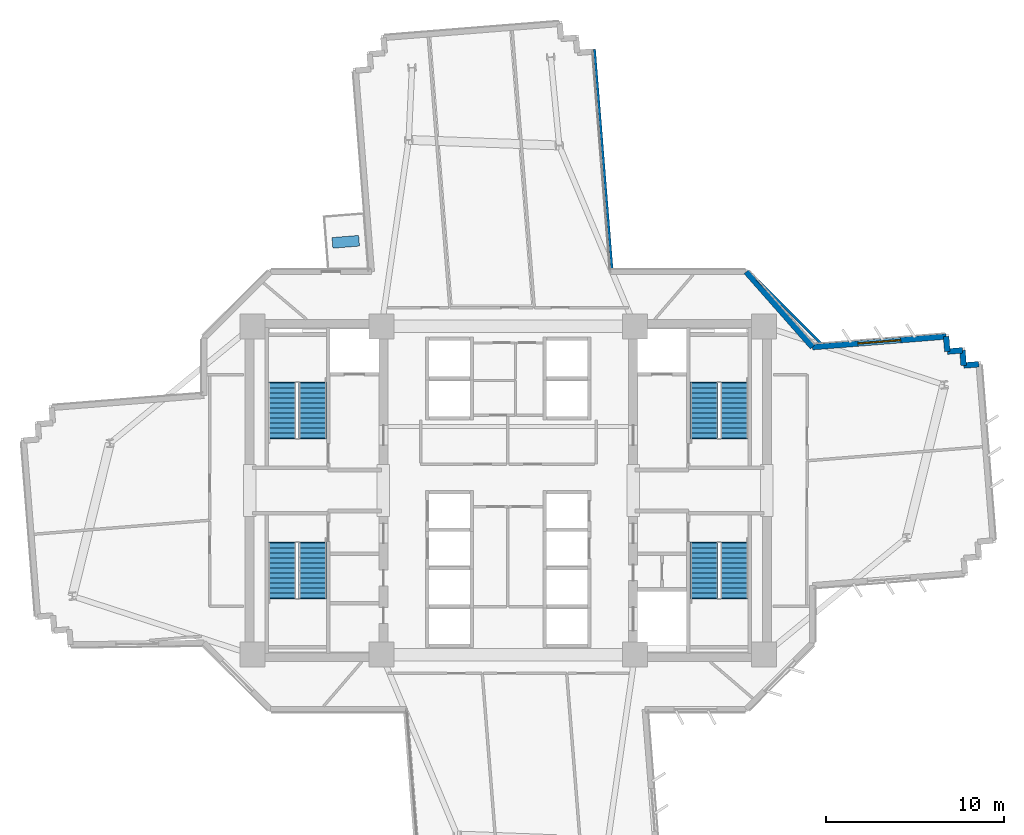
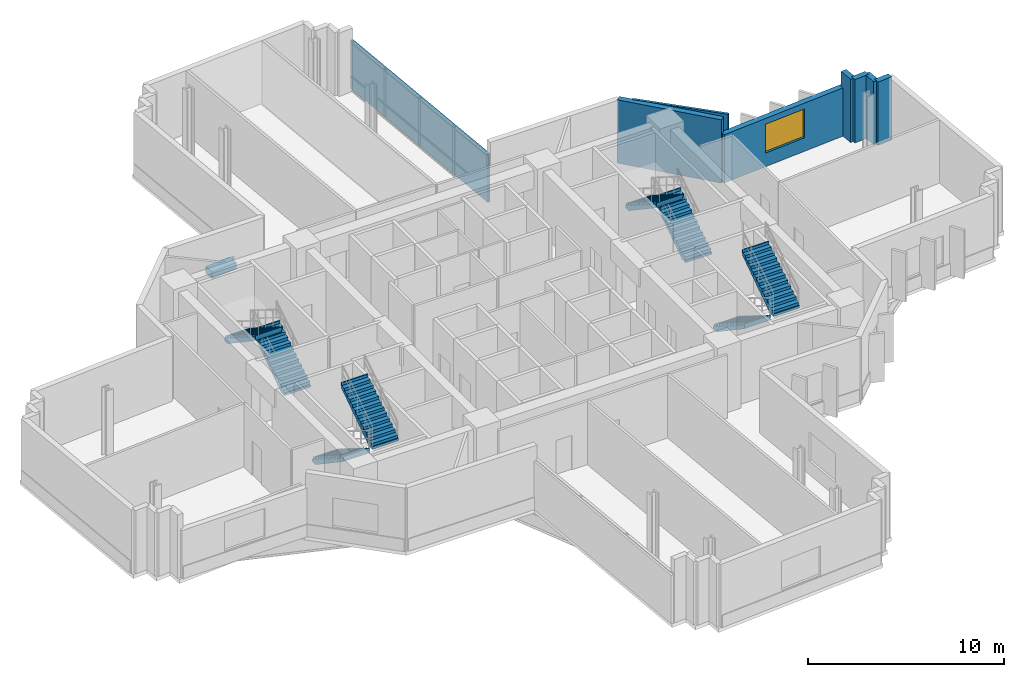
# One storey, part 10 of 15: 8 stair flights, 8 walls, 1 discrete accessory, 1 window, 1 opening, 4 elements without a shape of their own.
"""IFC4 building model written with IfcOpenShell, lengths in metres."""

from ifc_helpers import new_model, si_unit, direction, frame, frame_2d, origin, origin_2d, place, context, subcontext, project, spatial, polyline, rectangle, outline, extrude, source, transform, mapped, material, layer, layer_set, type_object, element, fill, aggregate, save


model = new_model("IFC4")

# Units and contexts
model_context = context("Model", 3, precision=1e-05, world=origin(), true_north=direction((0.0, 1.0)))
body_context = subcontext(model_context, "Body", "Model", "MODEL_VIEW")
ifc_project = project(units=[si_unit("LENGTHUNIT", "METRE"), si_unit("AREAUNIT", "SQUARE_METRE"), si_unit("VOLUMEUNIT", "CUBIC_METRE"), si_unit("PLANEANGLEUNIT", "RADIAN"), si_unit("MASSUNIT", "GRAM", prefix="KILO")], contexts=[model_context])

# Site, building, storey
site_placement = place(None, origin())
site = spatial("IfcSite", under=ifc_project, at=site_placement, CompositionType="ELEMENT")
building_placement = place(site_placement, origin())
building = spatial("IfcBuilding", under=site, at=building_placement, Name="Zahravan Cultural Tower", CompositionType="ELEMENT")
storey_placement = place(building_placement, frame((0.0, 0.0, 83.699951171875)))
storey = spatial("IfcBuildingStorey", under=building, at=storey_placement, Name="L18", CompositionType="ELEMENT", Elevation=83.699951171875)

# Wall, opening, window
ifc_material_1 = material(Name="Precast concrete C40/50", Category="concrete")
ifc_layer_1 = layer(ifc_material_1, 0.320068359375)
ifc_layer_set_1 = layer_set([ifc_layer_1], Name="Precast concrete C40/50")
wall_type_1 = type_object("IfcWallType", Name="EW-TC-320", PredefinedType="SOLIDWALL", material=ifc_layer_set_1)
wall_1_placement = place(storey_placement, frame((53.06005859375, 35.041748046875, 0.0), z_axis=(0.0, 0.0, 1.0), x_axis=(0.996834773193, 0.079501163223, 0.0)))
wall_1 = element("IfcWall", 1, at=wall_1_placement, inside=storey, type_object=wall_type_1, Name="L18 Exterior Masonry Frame Wall 01", PredefinedType="SOLIDWALL", context=body_context, shape_type="SweptSolid", body=[
    extrude(rectangle(XDim=7.514404296875, YDim=0.320068359375, at=frame_2d((3.75732421875, 0.0))), origin(), (0.0, 0.0, 1.0), 3.010009765625),
])
opening_placement = place(wall_1_placement, frame((2.556884765625, 0.0, 0.85009765625)))
opening = element("IfcOpeningElement", 2, at=opening_placement, cuts=wall_1, Name="Opening WN-01", PredefinedType="OPENING", context=body_context, shape_type="SweptSolid", body=[
    extrude(rectangle(XDim=2.39990234375, YDim=1.800048828125, at=frame_2d((1.199951171875, 0.89990234375))), frame((0.0, 0.169921875, 0.0), z_axis=(0.0, -1.0, 0.0), x_axis=(1.0, 0.0, 0.0)), (0.0, 0.0, 1.0), 0.340087890625),
])
ifc_material_2 = material(Name="Low-E solar-control double glazing", Category="glass")
window_type = type_object("IfcWindowType", Name="WN-REC-2400X1800", PartitioningType="DOUBLE_PANEL_VERTICAL", PredefinedType="WINDOW", material=ifc_material_2)
shared_shape_1 = source(origin(), body_context, "Body", "SweptSolid", [
    extrude(rectangle(XDim=2.39990234375, YDim=1.800048828125, at=frame_2d((1.199951171875, 0.89990234375))), frame((0.0, 0.030029296875, 0.0), z_axis=(0.0, -1.0, 0.0), x_axis=(1.0, 0.0, 0.0)), (0.0, 0.0, 1.0), 0.06005859375),
])
window_placement = place(opening_placement, origin())
window = element("IfcWindow", 3, at=window_placement, inside=storey, type_object=window_type, Name="L18 Recessed Solar Window 01", OverallHeight=1.800048828125, OverallWidth=2.39990234375, PartitioningType="DOUBLE_PANEL_VERTICAL", PredefinedType="WINDOW", context=body_context, shape_type="MappedRepresentation", body=[
    mapped(shared_shape_1, transform((0.0, 0.0, 0.0), x_axis=(1.0, 0.0, 0.0), y_axis=(0.0, 1.0, 0.0), z_axis=(0.0, 0.0, 1.0), scale=1.0)),
])
fill(opening, window)

# Walls
shared_shape_2 = source(origin(), body_context, "Body", "SweptSolid", [
    extrude(rectangle(XDim=0.849853515625, YDim=0.320068359375, at=frame_2d((0.4248046875, 0.0))), origin(), (0.0, 0.0, 1.0), 3.949951171875),
])
for number, where, z_axis, x_axis, name in (
    (4, (60.55078125, 35.63916015625, 0.0), (0.0, 0.0, 1.0), (0.079573954853, -0.996828965123, 0.0), "L18 Exterior Masonry Frame Wall 02"),
    (5, (61.533447265625, 34.01220703125, 0.0), (0.0, 0.0, 1.0), (0.996851711541, 0.079288493483, 0.0), "L18 Exterior Masonry Frame Wall 05"),
):
    element("IfcWall", number, at=place(storey_placement, frame(where, z_axis=z_axis, x_axis=x_axis)), inside=storey, type_object=wall_type_1, Name=name, PredefinedType="SOLIDWALL", context=body_context, shape_type="MappedRepresentation", body=[
        mapped(shared_shape_2, transform((0.0, 0.0, 0.0), x_axis=(1.0, 0.0, 0.0), y_axis=(0.0, 1.0, 0.0), z_axis=(0.0, 0.0, 1.0), scale=1.0)),
    ])
shared_shape_3 = source(origin(), body_context, "Body", "SweptSolid", [
    extrude(rectangle(XDim=0.85009765625, YDim=0.320068359375, at=frame_2d((0.425048828125, 0.0))), origin(), (0.0, 0.0, 1.0), 3.949951171875),
])
for number, where, z_axis, x_axis, name in (
    (6, (60.618408203125, 34.7919921875, 0.0), (0.0, 0.0, 1.0), (0.996830783344, 0.079551174585, 0.0), "L18 Exterior Masonry Frame Wall 03"),
    (7, (61.4658203125, 34.859619140625, 0.0), (0.0, 0.0, 1.0), (0.079551174585, -0.996830783344, 0.0), "L18 Exterior Masonry Frame Wall 04"),
):
    element("IfcWall", number, at=place(storey_placement, frame(where, z_axis=z_axis, x_axis=x_axis)), inside=storey, type_object=wall_type_1, Name=name, PredefinedType="SOLIDWALL", context=body_context, shape_type="MappedRepresentation", body=[
        mapped(shared_shape_3, transform((0.0, 0.0, 0.0), x_axis=(1.0, 0.0, 0.0), y_axis=(0.0, 1.0, 0.0), z_axis=(0.0, 0.0, 1.0), scale=1.0)),
    ])
shared_shape_4 = source(origin(), body_context, "Body", "SweptSolid", [
    extrude(rectangle(XDim=5.623046875, YDim=0.320068359375, at=frame_2d((2.8115234375, 0.0))), origin(), (0.0, 0.0, 1.0), 3.949951171875),
])
wall_2_placement = place(storey_placement, frame((49.342041015625, 39.260009765625, 0.0), z_axis=(0.0, 0.0, 1.0), x_axis=(0.66122376427, -0.750188731963, 0.0)))
element("IfcWall", 8, at=wall_2_placement, inside=storey, type_object=wall_type_1, Name="L18 Exterior Masonry Frame Wall 52", PredefinedType="SOLIDWALL", context=body_context, shape_type="MappedRepresentation", body=[
    mapped(shared_shape_4, transform((0.0, 0.0, 0.0), x_axis=(1.0, 0.0, 0.0), y_axis=(0.0, 1.0, 0.0), z_axis=(0.0, 0.0, 1.0), scale=1.0)),
])
ifc_material_3 = material(Name="Gypsum plasterboard partition")
ifc_layer_2 = layer(ifc_material_3, 0.139892578125)
ifc_layer_set_2 = layer_set([ifc_layer_2], Name="Gypsum plasterboard partition")
wall_type_2 = type_object("IfcWallType", Name="W-PART-140", PredefinedType="PARTITIONING", material=ifc_layer_set_2)
shared_shape_5 = source(origin(), body_context, "Body", "SweptSolid", [
    extrude(rectangle(XDim=12.356201171875, YDim=0.139892578125, at=frame_2d((6.17822265625, 0.0))), origin(), (0.0, 0.0, 1.0), 3.010009765625),
])
wall_3_placement = place(storey_placement, frame((40.828125, 51.7421875, 0.0), z_axis=(0.0, 0.0, 1.0), x_axis=(0.079527689156, -0.996832657299, 0.0)))
element("IfcWall", 9, at=wall_3_placement, inside=storey, type_object=wall_type_2, Name="L18 Interior Wall 097", PredefinedType="PARTITIONING", context=body_context, shape_type="MappedRepresentation", body=[
    mapped(shared_shape_5, transform((0.0, 0.0, 0.0), x_axis=(1.0, 0.0, 0.0), y_axis=(0.0, 1.0, 0.0), z_axis=(0.0, 0.0, 1.0), scale=1.0)),
])
shared_shape_6 = source(origin(), body_context, "Body", "SweptSolid", [
    extrude(rectangle(XDim=5.089599609375, YDim=0.139892578125, at=frame_2d((2.544921875, 0.0))), origin(), (0.0, 0.0, 1.0), 3.949951171875),
])
wall_4_placement = place(storey_placement, frame((49.931884765625, 38.83984375, 0.0), z_axis=(0.0, 0.0, 1.0), x_axis=(0.707106781187, -0.707106781187, 0.0)))
element("IfcWall", 10, at=wall_4_placement, inside=storey, type_object=wall_type_2, Name="L18 Interior Wall 102", PredefinedType="PARTITIONING", context=body_context, shape_type="MappedRepresentation", body=[
    mapped(shared_shape_6, transform((0.0, 0.0, 0.0), x_axis=(1.0, 0.0, 0.0), y_axis=(0.0, 1.0, 0.0), z_axis=(0.0, 0.0, 1.0), scale=1.0)),
])

# Stair, stair flights
ifc_material_4 = material(Name="Concrete C45/55", Category="concrete")
stair_type = type_object("IfcStairType", Name="STR-DL-1550-420", PredefinedType="HALF_TURN_STAIR", material=ifc_material_4)
stair_1_placement = place(storey_placement, origin())
stair_1 = element("IfcStair", 11, at=stair_1_placement, inside=storey, type_object=stair_type, Name="L18 West Core North Exit Stair ST-W1", PredefinedType="HALF_TURN_STAIR")
stair_flight_type = type_object("IfcStairFlightType", Name="FLG-DL-1550-420", PredefinedType="STRAIGHT", material=ifc_material_4)
stair_flight_1_placement = place(storey_placement, frame((25.02490234375, 29.949951171875, 0.0), z_axis=(0.0, 0.0, 1.0), x_axis=(0.0, 1.0, 0.0)))
stair_flight_1 = element("IfcStairFlight", 12, at=stair_flight_1_placement, type_object=stair_flight_type, Name="ST-W1 flight 1", NumberOfRisers=12, NumberOfTreads=11, PredefinedType="STRAIGHT", RiserHeight=0.175, TreadLength=0.28, context=body_context, shape_type="SweptSolid", body=[
    extrude(outline(polyline([(-0.06494140625, -0.139892578125), (-0.06494140625, 0.0), (0.0, 0.0), (0.0, 0.175048828125), (0.280029296875, 0.175048828125), (0.280029296875, 0.35009765625), (0.56005859375, 0.35009765625), (0.56005859375, 0.52490234375), (0.840087890625, 0.52490234375), (0.840087890625, 0.699951171875), (1.1201171875, 0.699951171875), (1.1201171875, 0.875), (1.39990234375, 0.875), (1.39990234375, 1.050048828125), (1.679931640625, 1.050048828125), (1.679931640625, 1.22509765625), (1.9599609375, 1.22509765625), (1.9599609375, 1.39990234375), (2.239990234375, 1.39990234375), (2.239990234375, 1.574951171875), (2.52001953125, 1.574951171875), (2.52001953125, 1.75), (2.800048828125, 1.75), (2.800048828125, 1.925048828125), (3.080078125, 1.925048828125), (3.080078125, 2.10009765625), (3.14501953125, 2.10009765625), (3.14501953125, 1.9501953125), (3.080078125, 1.748291015625), (0.28271484375, -0.139892578125), (-0.06494140625, -0.139892578125)])), frame((0.0, 0.77490234375, 0.0), z_axis=(0.0, -1.0, 0.0), x_axis=(1.0, 0.0, 0.0)), (0.0, 0.0, 1.0), 1.550048828125),
])
stair_flight_2_placement = place(storey_placement, frame((23.324951171875, 33.030029296875, 2.10009765625), z_axis=(0.0, 0.0, 1.0), x_axis=(0.0, -1.0, 0.0)))
stair_flight_2 = element("IfcStairFlight", 13, at=stair_flight_2_placement, type_object=stair_flight_type, Name="ST-W1 flight 2", NumberOfRisers=12, NumberOfTreads=11, PredefinedType="STRAIGHT", RiserHeight=0.175, TreadLength=0.28, context=body_context, shape_type="SweptSolid", body=[
    extrude(outline(polyline([(-0.06494140625, -0.139892578125), (-0.06494140625, 0.0), (0.0, 0.0), (0.0, 0.175048828125), (0.280029296875, 0.175048828125), (0.280029296875, 0.35009765625), (0.56005859375, 0.35009765625), (0.56005859375, 0.52490234375), (0.840087890625, 0.52490234375), (0.840087890625, 0.699951171875), (1.1201171875, 0.699951171875), (1.1201171875, 0.875), (1.39990234375, 0.875), (1.39990234375, 1.050048828125), (1.679931640625, 1.050048828125), (1.679931640625, 1.22509765625), (1.9599609375, 1.22509765625), (1.9599609375, 1.39990234375), (2.239990234375, 1.39990234375), (2.239990234375, 1.574951171875), (2.52001953125, 1.574951171875), (2.52001953125, 1.75), (2.800048828125, 1.75), (2.800048828125, 1.925048828125), (3.080078125, 1.925048828125), (3.080078125, 2.10009765625), (3.14501953125, 2.10009765625), (3.14501953125, 1.9501953125), (3.080078125, 1.748291015625), (0.28271484375, -0.139892578125), (-0.06494140625, -0.139892578125)])), frame((0.0, 0.77490234375, 0.0), z_axis=(0.0, -1.0, 0.0), x_axis=(1.0, 0.0, 0.0)), (0.0, 0.0, 1.0), 1.550048828125),
])
aggregate(stair_1, [stair_flight_1, stair_flight_2])

stair_2_placement = place(storey_placement, origin())
stair_2 = element("IfcStair", 14, at=stair_2_placement, inside=storey, type_object=stair_type, Name="L18 West Core South Exit Stair ST-W2", PredefinedType="HALF_TURN_STAIR")
stair_flight_3_placement = place(storey_placement, frame((23.324951171875, 24.050048828125, 0.0), z_axis=(0.0, 0.0, 1.0), x_axis=(0.0, -1.0, 0.0)))
stair_flight_3 = element("IfcStairFlight", 15, at=stair_flight_3_placement, type_object=stair_flight_type, Name="ST-W2 flight 1", NumberOfRisers=12, NumberOfTreads=11, PredefinedType="STRAIGHT", RiserHeight=0.175, TreadLength=0.28, context=body_context, shape_type="SweptSolid", body=[
    extrude(outline(polyline([(-0.06494140625, -0.139892578125), (-0.06494140625, 0.0), (0.0, 0.0), (0.0, 0.175048828125), (0.280029296875, 0.175048828125), (0.280029296875, 0.35009765625), (0.56005859375, 0.35009765625), (0.56005859375, 0.52490234375), (0.840087890625, 0.52490234375), (0.840087890625, 0.699951171875), (1.1201171875, 0.699951171875), (1.1201171875, 0.875), (1.39990234375, 0.875), (1.39990234375, 1.050048828125), (1.679931640625, 1.050048828125), (1.679931640625, 1.22509765625), (1.9599609375, 1.22509765625), (1.9599609375, 1.39990234375), (2.239990234375, 1.39990234375), (2.239990234375, 1.574951171875), (2.52001953125, 1.574951171875), (2.52001953125, 1.75), (2.800048828125, 1.75), (2.800048828125, 1.925048828125), (3.080078125, 1.925048828125), (3.080078125, 2.10009765625), (3.14501953125, 2.10009765625), (3.14501953125, 1.9501953125), (3.080078125, 1.748291015625), (0.28271484375, -0.139892578125), (-0.06494140625, -0.139892578125)])), frame((0.0, 0.77490234375, 0.0), z_axis=(0.0, -1.0, 0.0), x_axis=(1.0, 0.0, 0.0)), (0.0, 0.0, 1.0), 1.550048828125),
])
stair_flight_4_placement = place(storey_placement, frame((25.02490234375, 20.969970703125, 2.10009765625), z_axis=(0.0, 0.0, 1.0), x_axis=(0.0, 1.0, 0.0)))
stair_flight_4 = element("IfcStairFlight", 16, at=stair_flight_4_placement, type_object=stair_flight_type, Name="ST-W2 flight 2", NumberOfRisers=12, NumberOfTreads=11, PredefinedType="STRAIGHT", RiserHeight=0.175, TreadLength=0.28, context=body_context, shape_type="SweptSolid", body=[
    extrude(outline(polyline([(-0.06494140625, -0.139892578125), (-0.06494140625, 0.0), (0.0, 0.0), (0.0, 0.175048828125), (0.280029296875, 0.175048828125), (0.280029296875, 0.35009765625), (0.56005859375, 0.35009765625), (0.56005859375, 0.52490234375), (0.840087890625, 0.52490234375), (0.840087890625, 0.699951171875), (1.1201171875, 0.699951171875), (1.1201171875, 0.875), (1.39990234375, 0.875), (1.39990234375, 1.050048828125), (1.679931640625, 1.050048828125), (1.679931640625, 1.22509765625), (1.9599609375, 1.22509765625), (1.9599609375, 1.39990234375), (2.239990234375, 1.39990234375), (2.239990234375, 1.574951171875), (2.52001953125, 1.574951171875), (2.52001953125, 1.75), (2.800048828125, 1.75), (2.800048828125, 1.925048828125), (3.080078125, 1.925048828125), (3.080078125, 2.10009765625), (3.14501953125, 2.10009765625), (3.14501953125, 1.9501953125), (3.080078125, 1.748291015625), (0.28271484375, -0.139892578125), (-0.06494140625, -0.139892578125)])), frame((0.0, 0.77490234375, 0.0), z_axis=(0.0, -1.0, 0.0), x_axis=(1.0, 0.0, 0.0)), (0.0, 0.0, 1.0), 1.550048828125),
])
aggregate(stair_2, [stair_flight_3, stair_flight_4])

stair_3_placement = place(storey_placement, origin())
stair_3 = element("IfcStair", 17, at=stair_3_placement, inside=storey, type_object=stair_type, Name="L18 East Core North Exit Stair ST-E1", PredefinedType="HALF_TURN_STAIR")
stair_flight_5_placement = place(storey_placement, frame((48.675048828125, 29.949951171875, 0.0), z_axis=(0.0, 0.0, 1.0), x_axis=(0.0, 1.0, 0.0)))
stair_flight_5 = element("IfcStairFlight", 18, at=stair_flight_5_placement, type_object=stair_flight_type, Name="ST-E1 flight 1", NumberOfRisers=12, NumberOfTreads=11, PredefinedType="STRAIGHT", RiserHeight=0.175, TreadLength=0.28, context=body_context, shape_type="SweptSolid", body=[
    extrude(outline(polyline([(-0.06494140625, -0.139892578125), (-0.06494140625, 0.0), (0.0, 0.0), (0.0, 0.175048828125), (0.280029296875, 0.175048828125), (0.280029296875, 0.35009765625), (0.56005859375, 0.35009765625), (0.56005859375, 0.52490234375), (0.840087890625, 0.52490234375), (0.840087890625, 0.699951171875), (1.1201171875, 0.699951171875), (1.1201171875, 0.875), (1.39990234375, 0.875), (1.39990234375, 1.050048828125), (1.679931640625, 1.050048828125), (1.679931640625, 1.22509765625), (1.9599609375, 1.22509765625), (1.9599609375, 1.39990234375), (2.239990234375, 1.39990234375), (2.239990234375, 1.574951171875), (2.52001953125, 1.574951171875), (2.52001953125, 1.75), (2.800048828125, 1.75), (2.800048828125, 1.925048828125), (3.080078125, 1.925048828125), (3.080078125, 2.10009765625), (3.14501953125, 2.10009765625), (3.14501953125, 1.9501953125), (3.080078125, 1.748291015625), (0.28271484375, -0.139892578125), (-0.06494140625, -0.139892578125)])), frame((0.0, 0.77490234375, 0.0), z_axis=(0.0, -1.0, 0.0), x_axis=(1.0, 0.0, 0.0)), (0.0, 0.0, 1.0), 1.550048828125),
])
stair_flight_6_placement = place(storey_placement, frame((46.97509765625, 33.030029296875, 2.10009765625), z_axis=(0.0, 0.0, 1.0), x_axis=(0.0, -1.0, 0.0)))
stair_flight_6 = element("IfcStairFlight", 19, at=stair_flight_6_placement, type_object=stair_flight_type, Name="ST-E1 flight 2", NumberOfRisers=12, NumberOfTreads=11, PredefinedType="STRAIGHT", RiserHeight=0.175, TreadLength=0.28, context=body_context, shape_type="SweptSolid", body=[
    extrude(outline(polyline([(-0.06494140625, -0.139892578125), (-0.06494140625, 0.0), (0.0, 0.0), (0.0, 0.175048828125), (0.280029296875, 0.175048828125), (0.280029296875, 0.35009765625), (0.56005859375, 0.35009765625), (0.56005859375, 0.52490234375), (0.840087890625, 0.52490234375), (0.840087890625, 0.699951171875), (1.1201171875, 0.699951171875), (1.1201171875, 0.875), (1.39990234375, 0.875), (1.39990234375, 1.050048828125), (1.679931640625, 1.050048828125), (1.679931640625, 1.22509765625), (1.9599609375, 1.22509765625), (1.9599609375, 1.39990234375), (2.239990234375, 1.39990234375), (2.239990234375, 1.574951171875), (2.52001953125, 1.574951171875), (2.52001953125, 1.75), (2.800048828125, 1.75), (2.800048828125, 1.925048828125), (3.080078125, 1.925048828125), (3.080078125, 2.10009765625), (3.14501953125, 2.10009765625), (3.14501953125, 1.9501953125), (3.080078125, 1.748291015625), (0.28271484375, -0.139892578125), (-0.06494140625, -0.139892578125)])), frame((0.0, 0.77490234375, 0.0), z_axis=(0.0, -1.0, 0.0), x_axis=(1.0, 0.0, 0.0)), (0.0, 0.0, 1.0), 1.550048828125),
])
aggregate(stair_3, [stair_flight_5, stair_flight_6])

stair_4_placement = place(storey_placement, origin())
stair_4 = element("IfcStair", 20, at=stair_4_placement, inside=storey, type_object=stair_type, Name="L18 East Core South Exit Stair ST-E2", PredefinedType="HALF_TURN_STAIR")
stair_flight_7_placement = place(storey_placement, frame((46.97509765625, 24.050048828125, 0.0), z_axis=(0.0, 0.0, 1.0), x_axis=(0.0, -1.0, 0.0)))
stair_flight_7 = element("IfcStairFlight", 21, at=stair_flight_7_placement, type_object=stair_flight_type, Name="ST-E2 flight 1", NumberOfRisers=12, NumberOfTreads=11, PredefinedType="STRAIGHT", RiserHeight=0.175, TreadLength=0.28, context=body_context, shape_type="SweptSolid", body=[
    extrude(outline(polyline([(-0.06494140625, -0.139892578125), (-0.06494140625, 0.0), (0.0, 0.0), (0.0, 0.175048828125), (0.280029296875, 0.175048828125), (0.280029296875, 0.35009765625), (0.56005859375, 0.35009765625), (0.56005859375, 0.52490234375), (0.840087890625, 0.52490234375), (0.840087890625, 0.699951171875), (1.1201171875, 0.699951171875), (1.1201171875, 0.875), (1.39990234375, 0.875), (1.39990234375, 1.050048828125), (1.679931640625, 1.050048828125), (1.679931640625, 1.22509765625), (1.9599609375, 1.22509765625), (1.9599609375, 1.39990234375), (2.239990234375, 1.39990234375), (2.239990234375, 1.574951171875), (2.52001953125, 1.574951171875), (2.52001953125, 1.75), (2.800048828125, 1.75), (2.800048828125, 1.925048828125), (3.080078125, 1.925048828125), (3.080078125, 2.10009765625), (3.14501953125, 2.10009765625), (3.14501953125, 1.9501953125), (3.080078125, 1.748291015625), (0.28271484375, -0.139892578125), (-0.06494140625, -0.139892578125)])), frame((0.0, 0.77490234375, 0.0), z_axis=(0.0, -1.0, 0.0), x_axis=(1.0, 0.0, 0.0)), (0.0, 0.0, 1.0), 1.550048828125),
])
stair_flight_8_placement = place(storey_placement, frame((48.675048828125, 20.969970703125, 2.10009765625), z_axis=(0.0, 0.0, 1.0), x_axis=(0.0, 1.0, 0.0)))
stair_flight_8 = element("IfcStairFlight", 22, at=stair_flight_8_placement, type_object=stair_flight_type, Name="ST-E2 flight 2", NumberOfRisers=12, NumberOfTreads=11, PredefinedType="STRAIGHT", RiserHeight=0.175, TreadLength=0.28, context=body_context, shape_type="SweptSolid", body=[
    extrude(outline(polyline([(-0.06494140625, -0.139892578125), (-0.06494140625, 0.0), (0.0, 0.0), (0.0, 0.175048828125), (0.280029296875, 0.175048828125), (0.280029296875, 0.35009765625), (0.56005859375, 0.35009765625), (0.56005859375, 0.52490234375), (0.840087890625, 0.52490234375), (0.840087890625, 0.699951171875), (1.1201171875, 0.699951171875), (1.1201171875, 0.875), (1.39990234375, 0.875), (1.39990234375, 1.050048828125), (1.679931640625, 1.050048828125), (1.679931640625, 1.22509765625), (1.9599609375, 1.22509765625), (1.9599609375, 1.39990234375), (2.239990234375, 1.39990234375), (2.239990234375, 1.574951171875), (2.52001953125, 1.574951171875), (2.52001953125, 1.75), (2.800048828125, 1.75), (2.800048828125, 1.925048828125), (3.080078125, 1.925048828125), (3.080078125, 2.10009765625), (3.14501953125, 2.10009765625), (3.14501953125, 1.9501953125), (3.080078125, 1.748291015625), (0.28271484375, -0.139892578125), (-0.06494140625, -0.139892578125)])), frame((0.0, 0.77490234375, 0.0), z_axis=(0.0, -1.0, 0.0), x_axis=(1.0, 0.0, 0.0)), (0.0, 0.0, 1.0), 1.550048828125),
])
aggregate(stair_4, [stair_flight_7, stair_flight_8])

# Discrete accessory
ifc_material_5 = material(Name="Planted soil and terracotta planter", Category="masonry")
discrete_accessory_type = type_object("IfcDiscreteAccessoryType", Name="ACC-PLANTER-TC", PredefinedType="USERDEFINED", material=ifc_material_5)
shared_shape_7 = source(origin(), body_context, "Body", "SweptSolid", [
    extrude(rectangle(XDim=1.5, YDim=0.60009765625, at=origin_2d()), origin(), (0.0, 0.0, 1.0), 0.419921875),
])
discrete_accessory_placement = place(storey_placement, frame((26.885009765625, 40.944091796875, 0.0), z_axis=(0.0, 0.0, 1.0), x_axis=(0.996834624954, 0.079503021908, 0.0)))
element("IfcDiscreteAccessory", 23, at=discrete_accessory_placement, inside=storey, type_object=discrete_accessory_type, Name="L18 Terracotta Sculpture Planter NW", ObjectType="PLANTER", PredefinedType="USERDEFINED", context=body_context, shape_type="MappedRepresentation", body=[
    mapped(shared_shape_7, transform((0.0, 0.0, 0.0), x_axis=(1.0, 0.0, 0.0), y_axis=(0.0, 1.0, 0.0), z_axis=(0.0, 0.0, 1.0), scale=1.0)),
])

save(model, "model.ifc")
